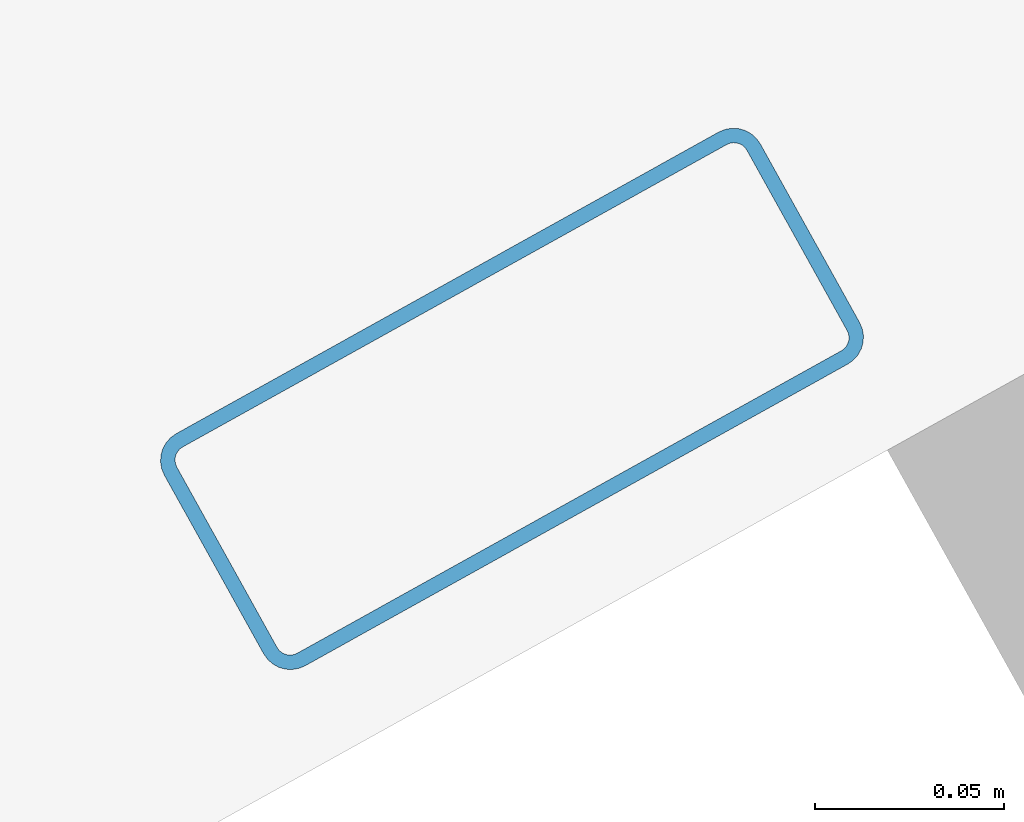
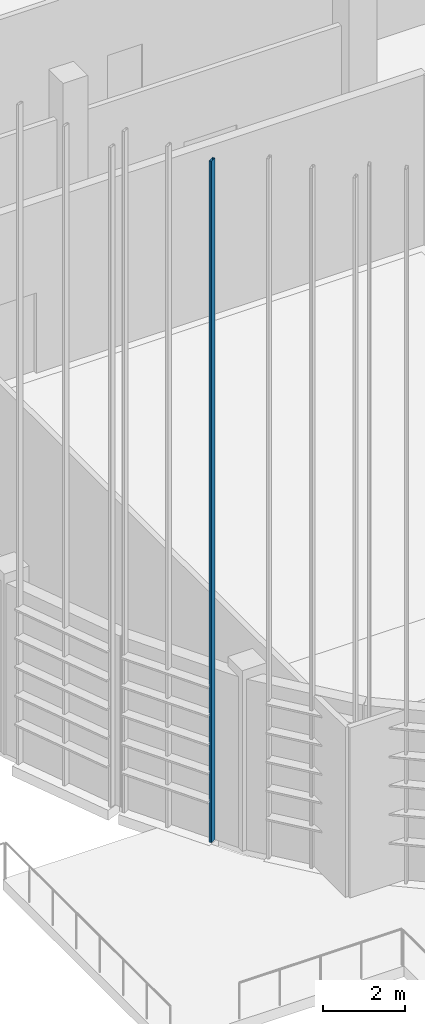
# One storey, part 160 of 372: 1 member.
"""IFC4 building model written with IfcOpenShell, lengths in metres."""

from ifc_helpers import new_model, si_unit, direction, frame, origin, origin_2d, place, context, subcontext, project, spatial, hollow_rectangle, extrude, material, material_profile, profile_set, type_object, element, save


model = new_model("IFC4")

# Units and contexts
model_context = context("Model", 3, precision=1e-05, world=origin(), true_north=direction((0.0, 1.0)))
body_context = subcontext(model_context, "Body", "Model", "MODEL_VIEW")
ifc_project = project(units=[si_unit("LENGTHUNIT", "METRE"), si_unit("AREAUNIT", "SQUARE_METRE"), si_unit("VOLUMEUNIT", "CUBIC_METRE"), si_unit("PLANEANGLEUNIT", "RADIAN"), si_unit("MASSUNIT", "GRAM", prefix="KILO")], contexts=[model_context])

# Site, building, storey
site_placement = place(None, origin())
site = spatial("IfcSite", under=ifc_project, at=site_placement, CompositionType="ELEMENT")
building_placement = place(site_placement, origin())
building = spatial("IfcBuilding", under=site, at=building_placement, Name="Kaelora Sail Theatre", CompositionType="ELEMENT")
storey_placement = place(building_placement, origin())
storey = spatial("IfcBuildingStorey", under=building, at=storey_placement, Name="L00", CompositionType="ELEMENT", Elevation=0.0)

# Member
ifc_material = material(Name="Anodised aluminium 6063-T6", Category="aluminium")
ifc_material_profile = material_profile(ifc_material, hollow_rectangle(XDim=0.070068359375, YDim=0.179931640625, WallThickness=0.00390625, InnerFilletRadius=0.00390625, OuterFilletRadius=0.008056640625, at=origin_2d()), Name="ALU-MULL 70x180x4")
ifc_profile_set = profile_set([ifc_material_profile], Name="Anodised aluminium 6063-T6")
member_type = type_object("IfcMemberType", Name="ARC-MEM-PST-160", PredefinedType="POST", material=ifc_profile_set)
member_placement = place(storey_placement, frame((81.1025390625, 37.533203125, 0.0), z_axis=(0.0, 0.0, 1.0), x_axis=(-0.485877807712, 0.874026747859, 0.0)))
element("IfcMember", 1, at=member_placement, inside=storey, type_object=member_type, Name="Studio Theatre Sail Drum solar louvre vertical support post C15-1", PredefinedType="POST", context=body_context, shape_type="SweptSolid", body=[
    extrude(hollow_rectangle(XDim=0.070068359375, YDim=0.179931640625, WallThickness=0.00390625, InnerFilletRadius=0.00390625, OuterFilletRadius=0.008056640625, at=origin_2d()), origin(), (0.0, 0.0, 1.0), 20.368896484375),
])

save(model, "model.ifc")
